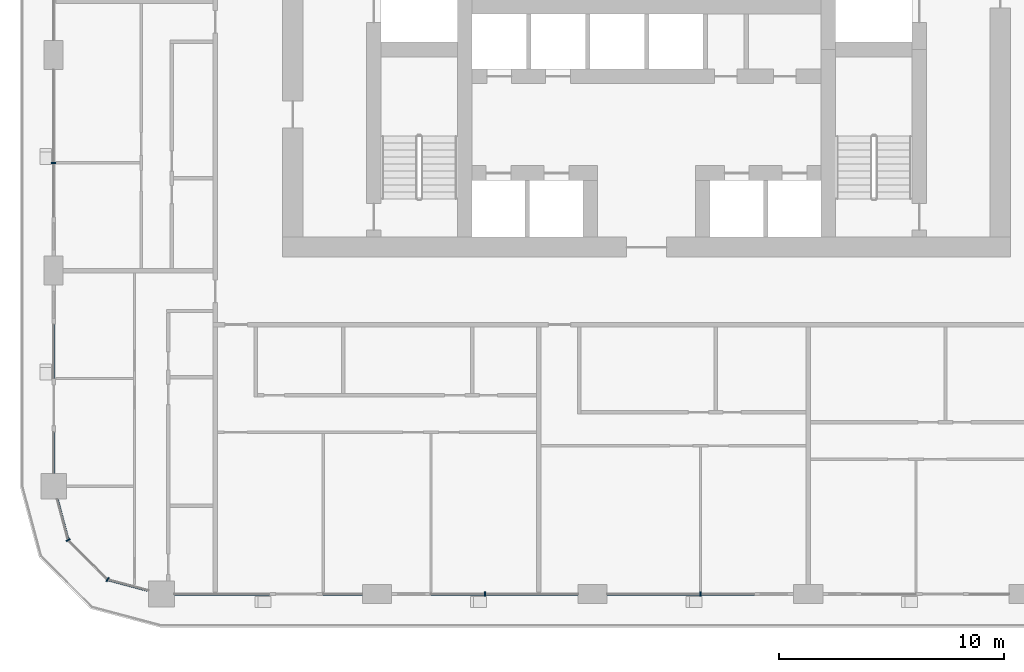
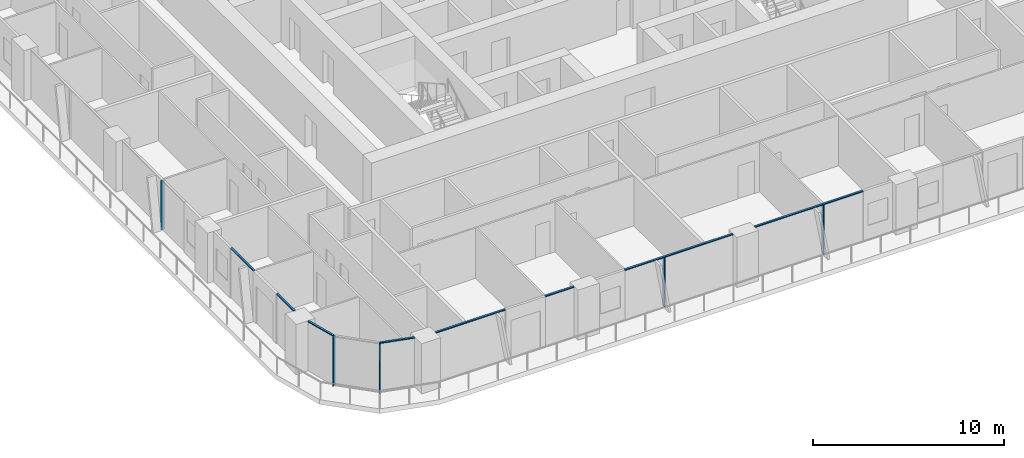
# One storey, part 2 of 22: 13 members, 6 elements without a shape of their own.
"""IFC4 building model written with IfcOpenShell, lengths in metres."""

from ifc_helpers import new_model, si_unit, direction, frame, origin, origin_2d, place, context, subcontext, project, spatial, rectangle, extrude, material, layer, layer_set, material_profile, profile_set, type_object, element, aggregate, save


model = new_model("IFC4")

# Units and contexts
model_context = context("Model", 3, precision=1e-05, world=origin(), true_north=direction((0.0, 1.0)))
body_context = subcontext(model_context, "Body", "Model", "MODEL_VIEW")
ifc_project = project(units=[si_unit("LENGTHUNIT", "METRE"), si_unit("AREAUNIT", "SQUARE_METRE"), si_unit("VOLUMEUNIT", "CUBIC_METRE"), si_unit("PLANEANGLEUNIT", "RADIAN"), si_unit("MASSUNIT", "GRAM", prefix="KILO")], contexts=[model_context])

# Site, building, storey
site_placement = place(None, origin())
site = spatial("IfcSite", under=ifc_project, at=site_placement, CompositionType="ELEMENT")
building_placement = place(site_placement, origin())
building = spatial("IfcBuilding", under=site, at=building_placement, Name="Madar Terraces", CompositionType="ELEMENT")
storey_placement = place(building_placement, frame((0.0, 0.0, 76.800048828125)))
storey = spatial("IfcBuildingStorey", under=building, at=storey_placement, Name="L19", CompositionType="ELEMENT", Elevation=76.800048828125)

# Curtain wall, member
ifc_material_1 = material(Name="Glass, ceramic frit dark grey, with black aluminium frame", Category="aluminium")
ifc_layer = layer(ifc_material_1, 0.199951171875)
ifc_layer_set = layer_set([ifc_layer], Name="Facade curtain wall, fritted glass")
curtain_wall_type = type_object("IfcCurtainWallType", Name="Facade curtain wall, fritted glass", PredefinedType="NOTDEFINED", material=ifc_layer_set)
curtain_wall_1_placement = place(storey_placement, origin())
curtain_wall_1 = element("IfcCurtainWall", 1, at=curtain_wall_1_placement, inside=storey, type_object=curtain_wall_type, Name="Outer skin curtain wall south bay 2", PredefinedType="NOTDEFINED")
ifc_material_2 = material(Name="Aluminium, black anodised", Category="aluminium")
ifc_material_profile_1 = material_profile(ifc_material_2, rectangle(XDim=0.199951171875, YDim=0.06005859375, at=origin_2d()), Name="Facade mullion 60x200")
ifc_profile_set_1 = profile_set([ifc_material_profile_1], Name="Aluminium, black anodised")
member_type_1 = type_object("IfcMemberType", Name="Facade mullion 60x200", PredefinedType="MULLION", material=ifc_profile_set_1)
member_1_placement = place(storey_placement, frame((24.0, 0.0, 0.0), z_axis=(0.0, 0.0, 1.0), x_axis=(0.0, 1.0, 0.0)))
member_1 = element("IfcMember", 2, at=member_1_placement, type_object=member_type_1, Name="Mullion 1", PredefinedType="MULLION", context=body_context, shape_type="SweptSolid", body=[
    extrude(rectangle(XDim=0.199951171875, YDim=0.06005859375, at=origin_2d()), origin(), (0.0, 0.0, 1.0), 3.139892578125),
])

curtain_wall_2_placement = place(storey_placement, origin())
curtain_wall_2 = element("IfcCurtainWall", 3, at=curtain_wall_2_placement, inside=storey, type_object=curtain_wall_type, Name="Outer skin curtain wall south bay 3", PredefinedType="NOTDEFINED")
member_2_placement = place(storey_placement, frame((33.60009765625, 0.0, 0.0), z_axis=(0.0, 0.0, 1.0), x_axis=(0.0, 1.0, 0.0)))
member_2 = element("IfcMember", 4, at=member_2_placement, type_object=member_type_1, Name="Mullion 1", PredefinedType="MULLION", context=body_context, shape_type="SweptSolid", body=[
    extrude(rectangle(XDim=0.199951171875, YDim=0.06005859375, at=origin_2d()), origin(), (0.0, 0.0, 1.0), 3.139892578125),
])

curtain_wall_3_placement = place(storey_placement, origin())
curtain_wall_3 = element("IfcCurtainWall", 5, at=curtain_wall_3_placement, inside=storey, type_object=curtain_wall_type, Name="Outer skin curtain wall west bay 3", PredefinedType="NOTDEFINED")
member_3_placement = place(storey_placement, frame((4.800048828125, 19.199951171875, 0.0), z_axis=(0.0, 0.0, 1.0), x_axis=(1.0, 0.0, 0.0)))
member_3 = element("IfcMember", 6, at=member_3_placement, type_object=member_type_1, Name="Mullion 1", PredefinedType="MULLION", context=body_context, shape_type="SweptSolid", body=[
    extrude(rectangle(XDim=0.199951171875, YDim=0.06005859375, at=origin_2d()), origin(), (0.0, 0.0, 1.0), 3.139892578125),
])
aggregate(curtain_wall_3, [member_3])

# Curtain wall, members
curtain_wall_4_placement = place(storey_placement, origin())
curtain_wall_4 = element("IfcCurtainWall", 7, at=curtain_wall_4_placement, inside=storey, type_object=curtain_wall_type, Name="Outer skin curtain wall south-west corner", PredefinedType="NOTDEFINED")
member_4_placement = place(storey_placement, frame((5.443115234375, 2.39990234375, 0.0), z_axis=(0.0, 0.0, 1.0), x_axis=(0.866025409797, 0.499999989586, 0.0)))
member_4 = element("IfcMember", 8, at=member_4_placement, type_object=member_type_1, Name="Mullion 1", PredefinedType="MULLION", context=body_context, shape_type="SweptSolid", body=[
    extrude(rectangle(XDim=0.199951171875, YDim=0.06005859375, at=origin_2d()), origin(), (0.0, 0.0, 1.0), 3.139892578125),
])
member_5_placement = place(storey_placement, frame((7.199951171875, 0.64306640625, 0.0), z_axis=(0.0, 0.0, 1.0), x_axis=(0.499999989586, 0.866025409797, 0.0)))
member_5 = element("IfcMember", 9, at=member_5_placement, type_object=member_type_1, Name="Mullion 2", PredefinedType="MULLION", context=body_context, shape_type="SweptSolid", body=[
    extrude(rectangle(XDim=0.199951171875, YDim=0.06005859375, at=origin_2d()), origin(), (0.0, 0.0, 1.0), 3.139892578125),
])

curtain_wall_5_placement = place(storey_placement, origin())
curtain_wall_5 = element("IfcCurtainWall", 10, at=curtain_wall_5_placement, inside=storey, type_object=curtain_wall_type, Name="Outer skin curtain wall south bay 1", PredefinedType="NOTDEFINED")
ifc_material_3 = material(Name="Aluminium, black anodised", Category="aluminium")
ifc_material_profile_2 = material_profile(ifc_material_3, rectangle(XDim=0.1201171875, YDim=0.06005859375, at=origin_2d()), Name="Facade transom 60x120")
ifc_profile_set_2 = profile_set([ifc_material_profile_2], Name="Aluminium, black anodised")
member_type_2 = type_object("IfcMemberType", Name="Facade transom 60x120", PredefinedType="USERDEFINED", material=ifc_profile_set_2)
member_6_placement = place(storey_placement, frame((10.175048828125, 0.0, 3.169921875), z_axis=(1.0, 0.0, 0.0), x_axis=(0.0, 1.0, 0.0)))
member_6 = element("IfcMember", 11, at=member_6_placement, type_object=member_type_2, Name="Transom 1", ObjectType="TRANSOM", PredefinedType="USERDEFINED", context=body_context, shape_type="SweptSolid", body=[
    extrude(rectangle(XDim=0.1201171875, YDim=0.06005859375, at=origin_2d()), origin(), (0.0, 0.0, 1.0), 4.224853515625),
])
member_7_placement = place(storey_placement, frame((16.800048828125, 0.0, 3.169921875), z_axis=(1.0, 0.0, 0.0), x_axis=(0.0, 1.0, 0.0)))
member_7 = element("IfcMember", 12, at=member_7_placement, type_object=member_type_2, Name="Transom 2", ObjectType="TRANSOM", PredefinedType="USERDEFINED", context=body_context, shape_type="SweptSolid", body=[
    extrude(rectangle(XDim=0.1201171875, YDim=0.06005859375, at=origin_2d()), origin(), (0.0, 0.0, 1.0), 1.75),
])
aggregate(curtain_wall_5, [member_6, member_7])

# Member
member_8_placement = place(storey_placement, frame((21.60009765625, 0.0, 3.169921875), z_axis=(1.0, 0.0, 0.0), x_axis=(0.0, 1.0, 0.0)))
member_8 = element("IfcMember", 13, at=member_8_placement, type_object=member_type_2, Name="Transom 1", ObjectType="TRANSOM", PredefinedType="USERDEFINED", context=body_context, shape_type="SweptSolid", body=[
    extrude(rectangle(XDim=0.1201171875, YDim=0.06005859375, at=origin_2d()), origin(), (0.0, 0.0, 1.0), 6.5498046875),
])

aggregate(curtain_wall_1, [member_1, member_8])

member_9_placement = place(storey_placement, frame((29.449951171875, 0.0, 3.169921875), z_axis=(1.0, 0.0, 0.0), x_axis=(0.0, 1.0, 0.0)))
member_9 = element("IfcMember", 14, at=member_9_placement, type_object=member_type_2, Name="Transom 1", ObjectType="TRANSOM", PredefinedType="USERDEFINED", context=body_context, shape_type="SweptSolid", body=[
    extrude(rectangle(XDim=0.1201171875, YDim=0.06005859375, at=origin_2d()), origin(), (0.0, 0.0, 1.0), 6.550048828125),
])

aggregate(curtain_wall_2, [member_2, member_9])

# Curtain wall, members
curtain_wall_6_placement = place(storey_placement, origin())
curtain_wall_6 = element("IfcCurtainWall", 15, at=curtain_wall_6_placement, inside=storey, type_object=curtain_wall_type, Name="Outer skin curtain wall west bay 4", PredefinedType="NOTDEFINED")
member_10_placement = place(storey_placement, frame((4.800048828125, 12.0, 3.169921875), z_axis=(0.0, -1.0, 0.0), x_axis=(1.0, 0.0, 0.0)))
member_10 = element("IfcMember", 16, at=member_10_placement, type_object=member_type_2, Name="Transom 1", ObjectType="TRANSOM", PredefinedType="USERDEFINED", context=body_context, shape_type="SweptSolid", body=[
    extrude(rectangle(XDim=0.1201171875, YDim=0.06005859375, at=origin_2d()), origin(), (0.0, 0.0, 1.0), 2.39990234375),
])
member_11_placement = place(storey_placement, frame((4.800048828125, 7.199951171875, 3.169921875), z_axis=(0.0, -1.0, 0.0), x_axis=(1.0, 0.0, 0.0)))
member_11 = element("IfcMember", 17, at=member_11_placement, type_object=member_type_2, Name="Transom 2", ObjectType="TRANSOM", PredefinedType="USERDEFINED", context=body_context, shape_type="SweptSolid", body=[
    extrude(rectangle(XDim=0.1201171875, YDim=0.06005859375, at=origin_2d()), origin(), (0.0, 0.0, 1.0), 1.824951171875),
])
aggregate(curtain_wall_6, [member_10, member_11])

# Member
member_12_placement = place(storey_placement, frame((4.9541015625, 4.22509765625, 3.169921875), z_axis=(0.258782024434, -0.965935745187, 0.0), x_axis=(0.965935745187, 0.258782024434, 0.0)))
member_12 = element("IfcMember", 18, at=member_12_placement, type_object=member_type_2, Name="Transom 1", ObjectType="TRANSOM", PredefinedType="USERDEFINED", context=body_context, shape_type="SweptSolid", body=[
    extrude(rectangle(XDim=0.1201171875, YDim=0.06005859375, at=origin_2d()), origin(), (0.0, 0.0, 1.0), 1.859375),
])

member_13_placement = place(storey_placement, frame((7.22900390625, 0.63525390625, 3.169921875), z_axis=(0.965926950947, -0.258814847786, 0.0), x_axis=(0.258814847786, 0.965926950947, 0.0)))
member_13 = element("IfcMember", 19, at=member_13_placement, type_object=member_type_2, Name="Transom 3", ObjectType="TRANSOM", PredefinedType="USERDEFINED", context=body_context, shape_type="SweptSolid", body=[
    extrude(rectangle(XDim=0.1201171875, YDim=0.06005859375, at=origin_2d()), origin(), (0.0, 0.0, 1.0), 1.859130859375),
])

aggregate(curtain_wall_4, [member_4, member_12, member_5, member_13])

save(model, "model.ifc")
